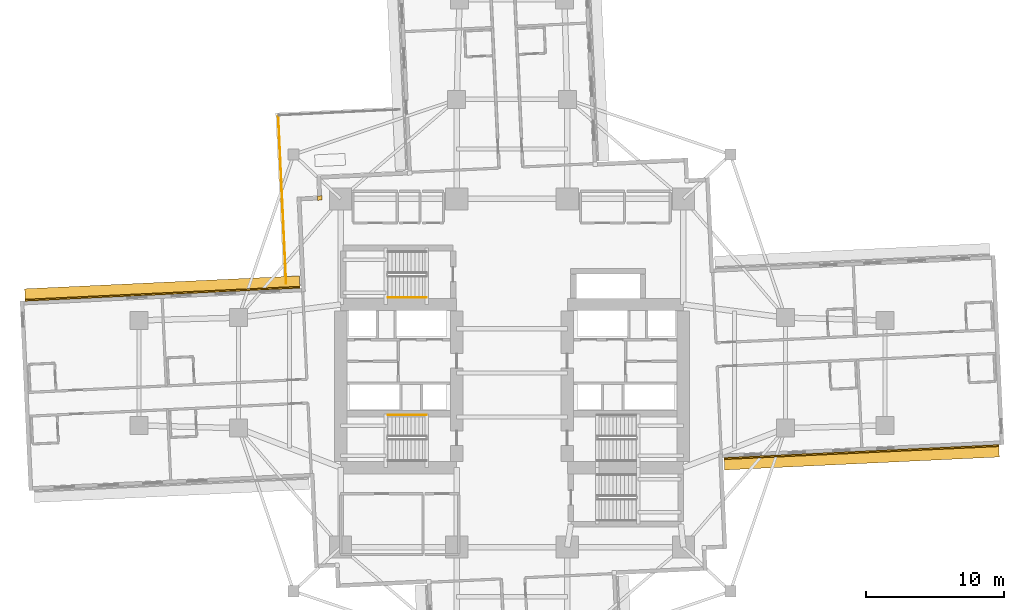
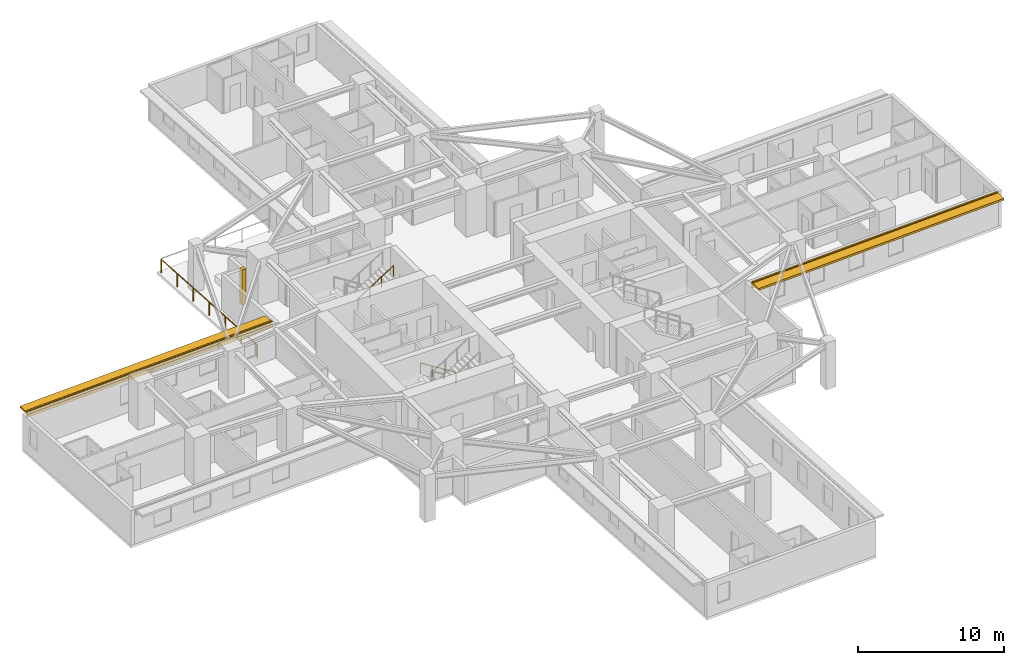
# One storey, part 12 of 14: 3 coverings, 3 railings, 2 shading devices.
"""IFC4 building model written with IfcOpenShell, lengths in metres."""

from ifc_helpers import new_model, si_unit, direction, frame, origin, origin_2d, place, context, subcontext, project, spatial, rectangle, circle, extrude, material, layer, layer_set, type_object, element, save


model = new_model("IFC4")

# Units and contexts
model_context = context("Model", 3, precision=1e-05, world=origin(), true_north=direction((0.0, 1.0)))
body_context = subcontext(model_context, "Body", "Model", "MODEL_VIEW")
ifc_project = project(units=[si_unit("LENGTHUNIT", "METRE"), si_unit("AREAUNIT", "SQUARE_METRE"), si_unit("VOLUMEUNIT", "CUBIC_METRE"), si_unit("PLANEANGLEUNIT", "RADIAN"), si_unit("MASSUNIT", "GRAM", prefix="KILO")], contexts=[model_context])

# Site, building, storey
site_placement = place(None, origin())
site = spatial("IfcSite", under=ifc_project, at=site_placement, CompositionType="ELEMENT")
building_placement = place(site_placement, origin())
building = spatial("IfcBuilding", under=site, at=building_placement, Name="Qingluan Cross Belvedere", CompositionType="ELEMENT")
storey_placement = place(building_placement, frame((0.0, 0.0, 35.39990234375)))
storey = spatial("IfcBuildingStorey", under=building, at=storey_placement, Name="L09", CompositionType="ELEMENT", Elevation=35.39990234375)

# Coverings
ifc_material_1 = material(Name="Precast concrete C45", Category="concrete")
ifc_layer_1 = layer(ifc_material_1, 0.1201171875, Name="ConcreteSpandrelCladding_120")
ifc_layer_set_1 = layer_set([ifc_layer_1], Name="Precast concrete C45")
covering_type = type_object("IfcCoveringType", Name="ConcreteSpandrelCladding_120", PredefinedType="CLADDING", material=ifc_layer_set_1)
for number, where, z_axis, x_axis, name in (
    (1, (25.287841796875, -5.72509765625, 2.4501953125), (0.0, 0.0, 1.0), (0.998889735192, 0.04710941444, 0.0), "Spandrel cladding L09-EA"),
    (2, (-25.287841796875, 5.72509765625, 2.4501953125), (0.0, 0.0, 1.0), (-0.998889735192, -0.04710941444, 0.0), "Spandrel cladding L09-WA"),
):
    element("IfcCovering", number, at=place(storey_placement, frame(where, z_axis=z_axis, x_axis=x_axis)), inside=storey, type_object=covering_type, Name=name, PredefinedType="CLADDING", context=body_context, shape_type="SweptSolid", body=[
        extrude(rectangle(XDim=19.89990234375, YDim=0.1201171875, at=origin_2d()), origin(), (0.0, 0.0, 1.0), 0.52001953125),
    ])
covering_placement = place(storey_placement, frame((-13.911865234375, 12.65869140625, 0.0), z_axis=(0.0, 0.0, 1.0), x_axis=(0.998889874962, 0.04710645071, 0.0)))
element("IfcCovering", 3, at=covering_placement, inside=storey, type_object=covering_type, Name="Corner closure L09-NW1", PredefinedType="CLADDING", context=body_context, shape_type="SweptSolid", body=[
    extrude(rectangle(XDim=0.320068359375, YDim=0.320068359375, at=origin_2d()), origin(), (0.0, 0.0, 1.0), 2.909912109375),
])

# Shading devices
ifc_material_2 = material(Name="Precast concrete C45", Category="concrete")
ifc_layer_2 = layer(ifc_material_2, 0.159912109375, Name="ConcreteSunshadeBand_900")
ifc_layer_set_2 = layer_set([ifc_layer_2], Name="Precast concrete C45")
shading_device_type = type_object("IfcShadingDeviceType", Name="ConcreteSunshadeBand_900", PredefinedType="USERDEFINED", material=ifc_layer_set_2)
for number, where, z_axis, x_axis, name in (
    (4, (25.3056640625, -6.104736328125, 2.72998046875), (0.0, 0.0, 1.0), (0.998889735192, 0.04710941444, 0.0), "Concrete SUNSHADE L09-EA"),
    (5, (-25.3056640625, 6.104736328125, 2.72998046875), (0.0, 0.0, 1.0), (-0.998889735192, -0.04710941444, 0.0), "Concrete SUNSHADE L09-WA"),
):
    element("IfcShadingDevice", number, at=place(storey_placement, frame(where, z_axis=z_axis, x_axis=x_axis)), inside=storey, type_object=shading_device_type, Name=name, ObjectType="SUNSHADE", PredefinedType="USERDEFINED", context=body_context, shape_type="SweptSolid", body=[
        extrude(rectangle(XDim=19.89990234375, YDim=0.89990234375, at=origin_2d()), origin(), (0.0, 0.0, 1.0), 0.159912109375),
    ])

# Railings
ifc_material_3 = material(Name="Brushed stainless steel tubular handrail", Category="steel")
railing_type_1 = type_object("IfcRailingType", Name="StairPitchHandrail_900", PredefinedType="HANDRAIL", material=ifc_material_3)
railing_1_placement = place(storey_placement, frame((-6.179931640625, -3.050048828125, 0.177490234375)))
element("IfcRailing", 6, at=railing_1_placement, inside=storey, type_object=railing_type_1, Name="L09 ST1 stair handrail 1", PredefinedType="HANDRAIL", context=body_context, shape_type="SweptSolid", body=[
    extrude(circle(Radius=0.02392578125, at=origin_2d()), frame((0.0, 0.0, 0.8759765625), z_axis=(-0.844908973607, 0.0, 0.534910110503), x_axis=(0.0, -1.0, 0.0)), (0.0, 0.0, 1.0), 3.31396484375),
    extrude(circle(Radius=0.02099609375, at=origin_2d()), origin(), (0.0, 0.0, 1.0), 0.851806640625),
    extrude(circle(Radius=0.02099609375, at=origin_2d()), frame((-0.933349609375, 0.0, 0.5908203125)), (0.0, 0.0, 1.0), 0.851806640625),
    extrude(circle(Radius=0.02099609375, at=origin_2d()), frame((-1.86669921875, 0.0, 1.181884765625)), (0.0, 0.0, 1.0), 0.851806640625),
    extrude(circle(Radius=0.02099609375, at=origin_2d()), frame((-2.800048828125, 0.0, 1.772705078125)), (0.0, 0.0, 1.0), 0.851806640625),
])
railing_2_placement = place(storey_placement, frame((-8.97998046875, 5.469970703125, 2.12744140625)))
element("IfcRailing", 7, at=railing_2_placement, inside=storey, type_object=railing_type_1, Name="L09 ST3 stair handrail 2", PredefinedType="HANDRAIL", context=body_context, shape_type="SweptSolid", body=[
    extrude(circle(Radius=0.02392578125, at=origin_2d()), frame((0.0, 0.0, 0.8759765625), z_axis=(0.844908973607, 0.0, 0.534910110503), x_axis=(0.0, 1.0, 0.0)), (0.0, 0.0, 1.0), 3.31396484375),
    extrude(circle(Radius=0.02099609375, at=origin_2d()), origin(), (0.0, 0.0, 1.0), 0.851806640625),
    extrude(circle(Radius=0.02099609375, at=origin_2d()), frame((0.933349609375, 0.0, 0.5908203125)), (0.0, 0.0, 1.0), 0.851806640625),
    extrude(circle(Radius=0.02099609375, at=origin_2d()), frame((1.86669921875, 0.0, 1.181884765625)), (0.0, 0.0, 1.0), 0.851806640625),
    extrude(circle(Radius=0.02099609375, at=origin_2d()), frame((2.800048828125, 0.0, 1.772705078125)), (0.0, 0.0, 1.0), 0.851806640625),
])
ifc_material_4 = material(Name="Laminated glass and stainless steel balustrade", Category="steel")
railing_type_2 = type_object("IfcRailingType", Name="TerraceGuardBalustrade_1150", PredefinedType="BALUSTRADE", material=ifc_material_4)
railing_3_placement = place(storey_placement, frame((-16.34326171875, 6.477294921875, 0.0)))
element("IfcRailing", 8, at=railing_3_placement, inside=storey, type_object=railing_type_2, Name="Terrace guard L09-1", PredefinedType="BALUSTRADE", context=body_context, shape_type="SweptSolid", body=[
    extrude(circle(Radius=0.02392578125, at=origin_2d()), frame((0.0, 0.0, 1.1259765625), z_axis=(-0.047116284841, 0.998889411148, 0.0), x_axis=(-0.998889411148, -0.047116284841, 0.0)), (0.0, 0.0, 1.0), 12.119873046875),
    extrude(circle(Radius=0.02099609375, at=origin_2d()), origin(), (0.0, 0.0, 1.0), 1.101806640625),
    extrude(circle(Radius=0.02099609375, at=origin_2d()), frame((-0.09521484375, 2.017822265625, 0.0)), (0.0, 0.0, 1.0), 1.101806640625),
    extrude(circle(Radius=0.02099609375, at=origin_2d()), frame((-0.1904296875, 4.035400390625, 0.0)), (0.0, 0.0, 1.0), 1.101806640625),
    extrude(circle(Radius=0.02099609375, at=origin_2d()), frame((-0.28564453125, 6.05322265625, 0.0)), (0.0, 0.0, 1.0), 1.101806640625),
    extrude(circle(Radius=0.02099609375, at=origin_2d()), frame((-0.380615234375, 8.071044921875, 0.0)), (0.0, 0.0, 1.0), 1.101806640625),
    extrude(circle(Radius=0.02099609375, at=origin_2d()), frame((-0.475830078125, 10.088623046875, 0.0)), (0.0, 0.0, 1.0), 1.101806640625),
    extrude(circle(Radius=0.02099609375, at=origin_2d()), frame((-0.571044921875, 12.1064453125, 0.0)), (0.0, 0.0, 1.0), 1.101806640625),
])

save(model, "model.ifc")
